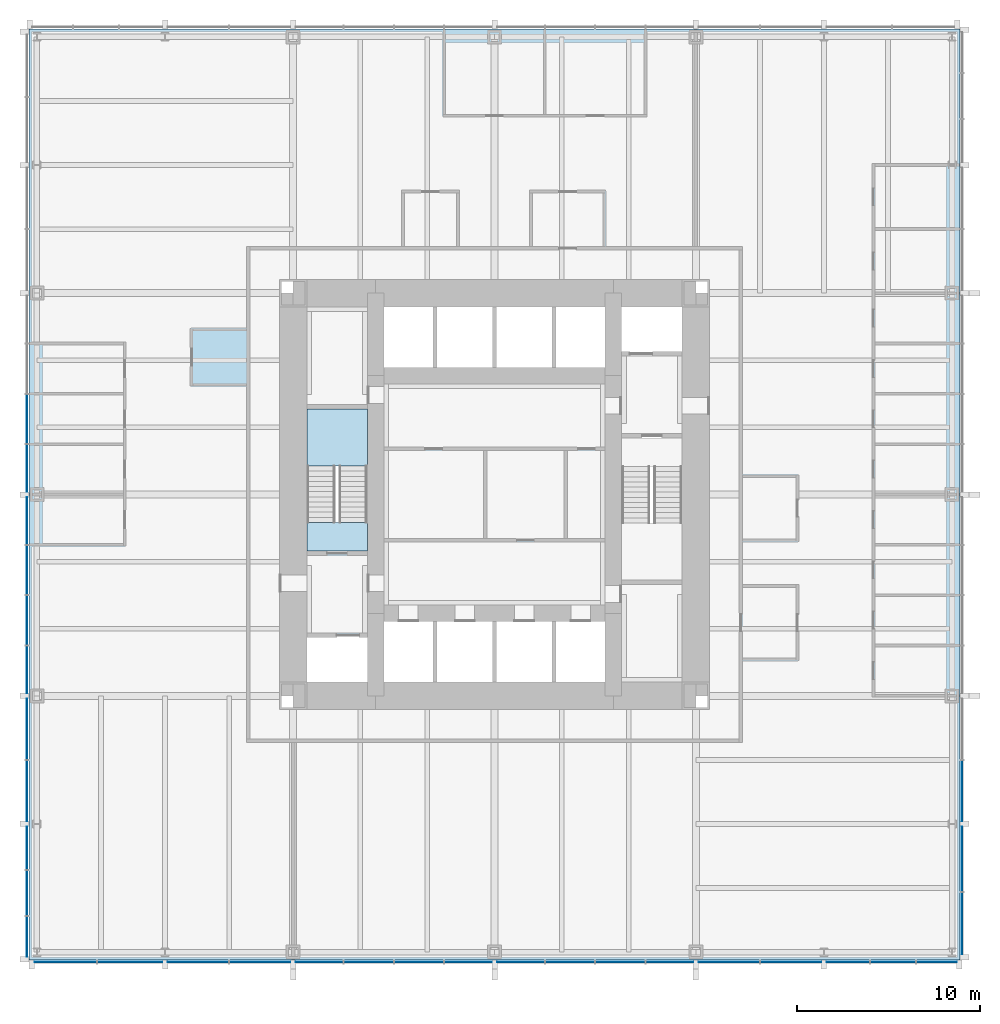
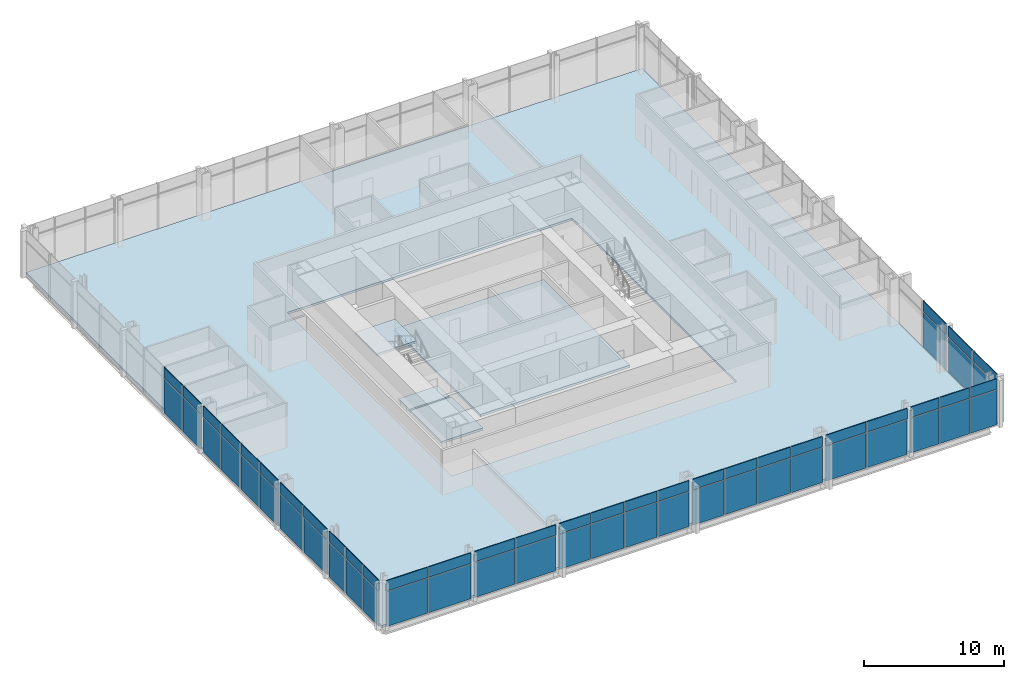
# One storey, part 7 of 12: 62 plates, 5 slabs, 4 elements without a shape of their own.
"""IFC4 building model written with IfcOpenShell, lengths in metres."""

from ifc_helpers import new_model, si_unit, direction, frame, origin, origin_2d, place, context, subcontext, project, spatial, polyline, rectangle, outline, extrude, material, layer, layer_set, type_object, element, aggregate, save


model = new_model("IFC4")

# Units and contexts
model_context = context("Model", 3, precision=1e-05, world=origin(), true_north=direction((0.0, 1.0)))
body_context = subcontext(model_context, "Body", "Model", "MODEL_VIEW")
ifc_project = project(units=[si_unit("LENGTHUNIT", "METRE"), si_unit("AREAUNIT", "SQUARE_METRE"), si_unit("VOLUMEUNIT", "CUBIC_METRE"), si_unit("PLANEANGLEUNIT", "RADIAN"), si_unit("MASSUNIT", "GRAM", prefix="KILO")], contexts=[model_context])

# Site, building, storey
site_placement = place(None, origin())
site = spatial("IfcSite", under=ifc_project, at=site_placement, CompositionType="ELEMENT")
building_placement = place(site_placement, origin())
building = spatial("IfcBuilding", under=site, at=building_placement, Name="Trevanion Tower", CompositionType="ELEMENT")
storey_placement = place(building_placement, frame((0.0, 0.0, 44.699951171875)))
storey = spatial("IfcBuildingStorey", under=building, at=storey_placement, Name="L10", CompositionType="ELEMENT", Elevation=44.699951171875)

# Curtain wall, plates
ifc_material_1 = material(Name="Aluminium and glass", Category="aluminium")
curtain_wall_type = type_object("IfcCurtainWallType", Name="CW1 curtain wall", PredefinedType="USERDEFINED", material=ifc_material_1)
curtain_wall_1_placement = place(storey_placement, origin())
curtain_wall_1 = element("IfcCurtainWall", 1, at=curtain_wall_1_placement, inside=storey, type_object=curtain_wall_type, Name="CW1 L10 0", ObjectType="UNITISED CURTAIN WALL", PredefinedType="USERDEFINED")
ifc_material_2 = material(Name="Aluminium spandrel panel", Category="aluminium")
ifc_layer_1 = layer(ifc_material_2, 0.06005859375)
ifc_layer_set_1 = layer_set([ifc_layer_1], Name="CW1 spandrel panel")
plate_type_1 = type_object("IfcPlateType", Name="CW1 spandrel panel", PredefinedType="CURTAIN_PANEL", material=ifc_layer_set_1)
plate_1_placement = place(storey_placement, frame((25.550048828125, -23.433837890625, 2.99755859375), z_axis=(0.0, 0.0, 1.0), x_axis=(0.0, 1.0, 0.0)))
plate_1 = element("IfcPlate", 2, at=plate_1_placement, type_object=plate_type_1, Name="CW1 panel 1.2", PredefinedType="CURTAIN_PANEL", context=body_context, shape_type="SweptSolid", body=[
    extrude(rectangle(XDim=3.37255859375, YDim=0.06005859375, at=origin_2d()), origin(), (0.0, 0.0, 1.0), 0.91259765625),
])
plate_2_placement = place(storey_placement, frame((25.550048828125, -19.911376953125, 2.99755859375), z_axis=(0.0, 0.0, 1.0), x_axis=(0.0, 1.0, 0.0)))
plate_2 = element("IfcPlate", 3, at=plate_2_placement, type_object=plate_type_1, Name="CW1 panel 2.2", PredefinedType="CURTAIN_PANEL", context=body_context, shape_type="SweptSolid", body=[
    extrude(rectangle(XDim=3.5224609375, YDim=0.06005859375, at=origin_2d()), origin(), (0.0, 0.0, 1.0), 0.91259765625),
])
plate_3_placement = place(storey_placement, frame((25.550048828125, -16.19384765625, 2.99755859375), z_axis=(0.0, 0.0, 1.0), x_axis=(0.0, 1.0, 0.0)))
plate_3 = element("IfcPlate", 4, at=plate_3_placement, type_object=plate_type_1, Name="CW1 panel 3.2", PredefinedType="CURTAIN_PANEL", context=body_context, shape_type="SweptSolid", body=[
    extrude(rectangle(XDim=3.3125, YDim=0.06005859375, at=origin_2d()), origin(), (0.0, 0.0, 1.0), 0.91259765625),
])

curtain_wall_2_placement = place(storey_placement, origin())
curtain_wall_2 = element("IfcCurtainWall", 5, at=curtain_wall_2_placement, inside=storey, type_object=curtain_wall_type, Name="CW1 L10 2", ObjectType="UNITISED CURTAIN WALL", PredefinedType="USERDEFINED")
plate_4_placement = place(storey_placement, frame((-25.550048828125, 4.125, 2.99755859375), z_axis=(0.0, 0.0, 1.0), x_axis=(0.0, -1.0, 0.0)))
plate_4 = element("IfcPlate", 6, at=plate_4_placement, type_object=plate_type_1, Name="CW1 panel 7.2", PredefinedType="CURTAIN_PANEL", context=body_context, shape_type="SweptSolid", body=[
    extrude(rectangle(XDim=2.675048828125, YDim=0.06005859375, at=origin_2d()), origin(), (0.0, 0.0, 1.0), 0.91259765625),
])
plate_5_placement = place(storey_placement, frame((-25.550048828125, 1.43115234375, 2.99755859375), z_axis=(0.0, 0.0, 1.0), x_axis=(0.0, -1.0, 0.0)))
plate_5 = element("IfcPlate", 7, at=plate_5_placement, type_object=plate_type_1, Name="CW1 panel 8.2", PredefinedType="CURTAIN_PANEL", context=body_context, shape_type="SweptSolid", body=[
    extrude(rectangle(XDim=2.5625, YDim=0.06005859375, at=origin_2d()), origin(), (0.0, 0.0, 1.0), 0.91259765625),
])
plate_6_placement = place(storey_placement, frame((-25.550048828125, -1.43115234375, 2.99755859375), z_axis=(0.0, 0.0, 1.0), x_axis=(0.0, -1.0, 0.0)))
plate_6 = element("IfcPlate", 8, at=plate_6_placement, type_object=plate_type_1, Name="CW1 panel 9.2", PredefinedType="CURTAIN_PANEL", context=body_context, shape_type="SweptSolid", body=[
    extrude(rectangle(XDim=2.5625, YDim=0.06005859375, at=origin_2d()), origin(), (0.0, 0.0, 1.0), 0.91259765625),
])
plate_7_placement = place(storey_placement, frame((-25.550048828125, -4.125, 2.99755859375), z_axis=(0.0, 0.0, 1.0), x_axis=(0.0, -1.0, 0.0)))
plate_7 = element("IfcPlate", 9, at=plate_7_placement, type_object=plate_type_1, Name="CW1 panel 10.2", PredefinedType="CURTAIN_PANEL", context=body_context, shape_type="SweptSolid", body=[
    extrude(rectangle(XDim=2.675048828125, YDim=0.06005859375, at=origin_2d()), origin(), (0.0, 0.0, 1.0), 0.91259765625),
])
plate_8_placement = place(storey_placement, frame((-25.550048828125, -6.875, 2.99755859375), z_axis=(0.0, 0.0, 1.0), x_axis=(0.0, -1.0, 0.0)))
plate_8 = element("IfcPlate", 10, at=plate_8_placement, type_object=plate_type_1, Name="CW1 panel 11.2", PredefinedType="CURTAIN_PANEL", context=body_context, shape_type="SweptSolid", body=[
    extrude(rectangle(XDim=2.675048828125, YDim=0.06005859375, at=origin_2d()), origin(), (0.0, 0.0, 1.0), 0.91259765625),
])
plate_9_placement = place(storey_placement, frame((-25.550048828125, -9.56884765625, 2.99755859375), z_axis=(0.0, 0.0, 1.0), x_axis=(0.0, -1.0, 0.0)))
plate_9 = element("IfcPlate", 11, at=plate_9_placement, type_object=plate_type_1, Name="CW1 panel 12.2", PredefinedType="CURTAIN_PANEL", context=body_context, shape_type="SweptSolid", body=[
    extrude(rectangle(XDim=2.5625, YDim=0.06005859375, at=origin_2d()), origin(), (0.0, 0.0, 1.0), 0.91259765625),
])
plate_10_placement = place(storey_placement, frame((-25.550048828125, -12.80615234375, 2.99755859375), z_axis=(0.0, 0.0, 1.0), x_axis=(0.0, -1.0, 0.0)))
plate_10 = element("IfcPlate", 12, at=plate_10_placement, type_object=plate_type_1, Name="CW1 panel 13.2", PredefinedType="CURTAIN_PANEL", context=body_context, shape_type="SweptSolid", body=[
    extrude(rectangle(XDim=3.3125, YDim=0.06005859375, at=origin_2d()), origin(), (0.0, 0.0, 1.0), 0.91259765625),
])
plate_11_placement = place(storey_placement, frame((-25.550048828125, -16.19384765625, 2.99755859375), z_axis=(0.0, 0.0, 1.0), x_axis=(0.0, -1.0, 0.0)))
plate_11 = element("IfcPlate", 13, at=plate_11_placement, type_object=plate_type_1, Name="CW1 panel 14.2", PredefinedType="CURTAIN_PANEL", context=body_context, shape_type="SweptSolid", body=[
    extrude(rectangle(XDim=3.3125, YDim=0.06005859375, at=origin_2d()), origin(), (0.0, 0.0, 1.0), 0.91259765625),
])
plate_12_placement = place(storey_placement, frame((-25.550048828125, -19.314697265625, 2.99755859375), z_axis=(0.0, 0.0, 1.0), x_axis=(0.0, -1.0, 0.0)))
plate_12 = element("IfcPlate", 14, at=plate_12_placement, type_object=plate_type_1, Name="CW1 panel 15.2", PredefinedType="CURTAIN_PANEL", context=body_context, shape_type="SweptSolid", body=[
    extrude(rectangle(XDim=2.3291015625, YDim=0.06005859375, at=origin_2d()), origin(), (0.0, 0.0, 1.0), 0.91259765625),
])
plate_13_placement = place(storey_placement, frame((-25.550048828125, -21.77490234375, 2.99755859375), z_axis=(0.0, 0.0, 1.0), x_axis=(0.0, -1.0, 0.0)))
plate_13 = element("IfcPlate", 15, at=plate_13_placement, type_object=plate_type_1, Name="CW1 panel 16.2", PredefinedType="CURTAIN_PANEL", context=body_context, shape_type="SweptSolid", body=[
    extrude(rectangle(XDim=2.441650390625, YDim=0.06005859375, at=origin_2d()), origin(), (0.0, 0.0, 1.0), 0.91259765625),
])
plate_14_placement = place(storey_placement, frame((-25.550048828125, -24.160400390625, 2.99755859375), z_axis=(0.0, 0.0, 1.0), x_axis=(0.0, -1.0, 0.0)))
plate_14 = element("IfcPlate", 16, at=plate_14_placement, type_object=plate_type_1, Name="CW1 panel 17.2", PredefinedType="CURTAIN_PANEL", context=body_context, shape_type="SweptSolid", body=[
    extrude(rectangle(XDim=2.17919921875, YDim=0.06005859375, at=origin_2d()), origin(), (0.0, 0.0, 1.0), 0.91259765625),
])

curtain_wall_3_placement = place(storey_placement, origin())
curtain_wall_3 = element("IfcCurtainWall", 17, at=curtain_wall_3_placement, inside=storey, type_object=curtain_wall_type, Name="CW1 L10 3", ObjectType="UNITISED CURTAIN WALL", PredefinedType="USERDEFINED")
plate_15_placement = place(storey_placement, frame((-23.433837890625, -25.550048828125, 2.99755859375), z_axis=(0.0, 0.0, 1.0), x_axis=(1.0, 0.0, 0.0)))
plate_15 = element("IfcPlate", 18, at=plate_15_placement, type_object=plate_type_1, Name="CW1 panel 1.2", PredefinedType="CURTAIN_PANEL", context=body_context, shape_type="SweptSolid", body=[
    extrude(rectangle(XDim=3.37255859375, YDim=0.06005859375, at=origin_2d()), origin(), (0.0, 0.0, 1.0), 0.91259765625),
])
plate_16_placement = place(storey_placement, frame((-19.911376953125, -25.550048828125, 2.99755859375), z_axis=(0.0, 0.0, 1.0), x_axis=(1.0, 0.0, 0.0)))
plate_16 = element("IfcPlate", 19, at=plate_16_placement, type_object=plate_type_1, Name="CW1 panel 2.2", PredefinedType="CURTAIN_PANEL", context=body_context, shape_type="SweptSolid", body=[
    extrude(rectangle(XDim=3.5224609375, YDim=0.06005859375, at=origin_2d()), origin(), (0.0, 0.0, 1.0), 0.91259765625),
])
plate_17_placement = place(storey_placement, frame((-16.19384765625, -25.550048828125, 2.99755859375), z_axis=(0.0, 0.0, 1.0), x_axis=(1.0, 0.0, 0.0)))
plate_17 = element("IfcPlate", 20, at=plate_17_placement, type_object=plate_type_1, Name="CW1 panel 3.2", PredefinedType="CURTAIN_PANEL", context=body_context, shape_type="SweptSolid", body=[
    extrude(rectangle(XDim=3.3125, YDim=0.06005859375, at=origin_2d()), origin(), (0.0, 0.0, 1.0), 0.91259765625),
])
plate_18_placement = place(storey_placement, frame((-12.806396484375, -25.550048828125, 2.99755859375), z_axis=(0.0, 0.0, 1.0), x_axis=(1.0, 0.0, 0.0)))
plate_18 = element("IfcPlate", 21, at=plate_18_placement, type_object=plate_type_1, Name="CW1 panel 4.2", PredefinedType="CURTAIN_PANEL", context=body_context, shape_type="SweptSolid", body=[
    extrude(rectangle(XDim=3.3125, YDim=0.06005859375, at=origin_2d()), origin(), (0.0, 0.0, 1.0), 0.91259765625),
])
plate_19_placement = place(storey_placement, frame((-9.56884765625, -25.550048828125, 2.99755859375), z_axis=(0.0, 0.0, 1.0), x_axis=(1.0, 0.0, 0.0)))
plate_19 = element("IfcPlate", 22, at=plate_19_placement, type_object=plate_type_1, Name="CW1 panel 5.2", PredefinedType="CURTAIN_PANEL", context=body_context, shape_type="SweptSolid", body=[
    extrude(rectangle(XDim=2.5625, YDim=0.06005859375, at=origin_2d()), origin(), (0.0, 0.0, 1.0), 0.91259765625),
])
plate_20_placement = place(storey_placement, frame((-6.875, -25.550048828125, 2.99755859375), z_axis=(0.0, 0.0, 1.0), x_axis=(1.0, 0.0, 0.0)))
plate_20 = element("IfcPlate", 23, at=plate_20_placement, type_object=plate_type_1, Name="CW1 panel 6.2", PredefinedType="CURTAIN_PANEL", context=body_context, shape_type="SweptSolid", body=[
    extrude(rectangle(XDim=2.675048828125, YDim=0.06005859375, at=origin_2d()), origin(), (0.0, 0.0, 1.0), 0.91259765625),
])
plate_21_placement = place(storey_placement, frame((-4.125, -25.550048828125, 2.99755859375), z_axis=(0.0, 0.0, 1.0), x_axis=(1.0, 0.0, 0.0)))
plate_21 = element("IfcPlate", 24, at=plate_21_placement, type_object=plate_type_1, Name="CW1 panel 7.2", PredefinedType="CURTAIN_PANEL", context=body_context, shape_type="SweptSolid", body=[
    extrude(rectangle(XDim=2.675048828125, YDim=0.06005859375, at=origin_2d()), origin(), (0.0, 0.0, 1.0), 0.91259765625),
])
plate_22_placement = place(storey_placement, frame((-1.43115234375, -25.550048828125, 2.99755859375), z_axis=(0.0, 0.0, 1.0), x_axis=(1.0, 0.0, 0.0)))
plate_22 = element("IfcPlate", 25, at=plate_22_placement, type_object=plate_type_1, Name="CW1 panel 8.2", PredefinedType="CURTAIN_PANEL", context=body_context, shape_type="SweptSolid", body=[
    extrude(rectangle(XDim=2.5625, YDim=0.06005859375, at=origin_2d()), origin(), (0.0, 0.0, 1.0), 0.91259765625),
])
plate_23_placement = place(storey_placement, frame((1.43115234375, -25.550048828125, 2.99755859375), z_axis=(0.0, 0.0, 1.0), x_axis=(1.0, 0.0, 0.0)))
plate_23 = element("IfcPlate", 26, at=plate_23_placement, type_object=plate_type_1, Name="CW1 panel 9.2", PredefinedType="CURTAIN_PANEL", context=body_context, shape_type="SweptSolid", body=[
    extrude(rectangle(XDim=2.5625, YDim=0.06005859375, at=origin_2d()), origin(), (0.0, 0.0, 1.0), 0.91259765625),
])
plate_24_placement = place(storey_placement, frame((4.125, -25.550048828125, 2.99755859375), z_axis=(0.0, 0.0, 1.0), x_axis=(1.0, 0.0, 0.0)))
plate_24 = element("IfcPlate", 27, at=plate_24_placement, type_object=plate_type_1, Name="CW1 panel 10.2", PredefinedType="CURTAIN_PANEL", context=body_context, shape_type="SweptSolid", body=[
    extrude(rectangle(XDim=2.675048828125, YDim=0.06005859375, at=origin_2d()), origin(), (0.0, 0.0, 1.0), 0.91259765625),
])
plate_25_placement = place(storey_placement, frame((6.875, -25.550048828125, 2.99755859375), z_axis=(0.0, 0.0, 1.0), x_axis=(1.0, 0.0, 0.0)))
plate_25 = element("IfcPlate", 28, at=plate_25_placement, type_object=plate_type_1, Name="CW1 panel 11.2", PredefinedType="CURTAIN_PANEL", context=body_context, shape_type="SweptSolid", body=[
    extrude(rectangle(XDim=2.675048828125, YDim=0.06005859375, at=origin_2d()), origin(), (0.0, 0.0, 1.0), 0.91259765625),
])
plate_26_placement = place(storey_placement, frame((9.56884765625, -25.550048828125, 2.99755859375), z_axis=(0.0, 0.0, 1.0), x_axis=(1.0, 0.0, 0.0)))
plate_26 = element("IfcPlate", 29, at=plate_26_placement, type_object=plate_type_1, Name="CW1 panel 12.2", PredefinedType="CURTAIN_PANEL", context=body_context, shape_type="SweptSolid", body=[
    extrude(rectangle(XDim=2.5625, YDim=0.06005859375, at=origin_2d()), origin(), (0.0, 0.0, 1.0), 0.91259765625),
])
plate_27_placement = place(storey_placement, frame((12.80615234375, -25.550048828125, 2.99755859375), z_axis=(0.0, 0.0, 1.0), x_axis=(1.0, 0.0, 0.0)))
plate_27 = element("IfcPlate", 30, at=plate_27_placement, type_object=plate_type_1, Name="CW1 panel 13.2", PredefinedType="CURTAIN_PANEL", context=body_context, shape_type="SweptSolid", body=[
    extrude(rectangle(XDim=3.3125, YDim=0.06005859375, at=origin_2d()), origin(), (0.0, 0.0, 1.0), 0.91259765625),
])
plate_28_placement = place(storey_placement, frame((16.19384765625, -25.550048828125, 2.99755859375), z_axis=(0.0, 0.0, 1.0), x_axis=(1.0, 0.0, 0.0)))
plate_28 = element("IfcPlate", 31, at=plate_28_placement, type_object=plate_type_1, Name="CW1 panel 14.2", PredefinedType="CURTAIN_PANEL", context=body_context, shape_type="SweptSolid", body=[
    extrude(rectangle(XDim=3.3125, YDim=0.06005859375, at=origin_2d()), origin(), (0.0, 0.0, 1.0), 0.91259765625),
])
plate_29_placement = place(storey_placement, frame((19.314697265625, -25.550048828125, 2.99755859375), z_axis=(0.0, 0.0, 1.0), x_axis=(1.0, 0.0, 0.0)))
plate_29 = element("IfcPlate", 32, at=plate_29_placement, type_object=plate_type_1, Name="CW1 panel 15.2", PredefinedType="CURTAIN_PANEL", context=body_context, shape_type="SweptSolid", body=[
    extrude(rectangle(XDim=2.3291015625, YDim=0.06005859375, at=origin_2d()), origin(), (0.0, 0.0, 1.0), 0.91259765625),
])
plate_30_placement = place(storey_placement, frame((21.77490234375, -25.550048828125, 2.99755859375), z_axis=(0.0, 0.0, 1.0), x_axis=(1.0, 0.0, 0.0)))
plate_30 = element("IfcPlate", 33, at=plate_30_placement, type_object=plate_type_1, Name="CW1 panel 16.2", PredefinedType="CURTAIN_PANEL", context=body_context, shape_type="SweptSolid", body=[
    extrude(rectangle(XDim=2.441650390625, YDim=0.06005859375, at=origin_2d()), origin(), (0.0, 0.0, 1.0), 0.91259765625),
])
plate_31_placement = place(storey_placement, frame((24.160400390625, -25.550048828125, 2.99755859375), z_axis=(0.0, 0.0, 1.0), x_axis=(1.0, 0.0, 0.0)))
plate_31 = element("IfcPlate", 34, at=plate_31_placement, type_object=plate_type_1, Name="CW1 panel 17.2", PredefinedType="CURTAIN_PANEL", context=body_context, shape_type="SweptSolid", body=[
    extrude(rectangle(XDim=2.17919921875, YDim=0.06005859375, at=origin_2d()), origin(), (0.0, 0.0, 1.0), 0.91259765625),
])

# Plate
ifc_material_3 = material(Name="Insulating glass unit", Category="glass")
ifc_layer_2 = layer(ifc_material_3, 0.028076171875)
ifc_layer_set_2 = layer_set([ifc_layer_2], Name="CW1 vision panel")
plate_type_2 = type_object("IfcPlateType", Name="CW1 vision panel", PredefinedType="CURTAIN_PANEL", material=ifc_layer_set_2)
plate_32_placement = place(storey_placement, frame((25.550048828125, -23.433837890625, -0.114990234375), z_axis=(0.0, 0.0, 1.0), x_axis=(0.0, 1.0, 0.0)))
plate_32 = element("IfcPlate", 35, at=plate_32_placement, type_object=plate_type_2, Name="CW1 panel 1.1", PredefinedType="CURTAIN_PANEL", context=body_context, shape_type="SweptSolid", body=[
    extrude(rectangle(XDim=3.37255859375, YDim=0.028076171875, at=origin_2d()), origin(), (0.0, 0.0, 1.0), 3.03759765625),
])

plate_33_placement = place(storey_placement, frame((25.550048828125, -19.911376953125, -0.114990234375), z_axis=(0.0, 0.0, 1.0), x_axis=(0.0, 1.0, 0.0)))
plate_33 = element("IfcPlate", 36, at=plate_33_placement, type_object=plate_type_2, Name="CW1 panel 2.1", PredefinedType="CURTAIN_PANEL", context=body_context, shape_type="SweptSolid", body=[
    extrude(rectangle(XDim=3.5224609375, YDim=0.028076171875, at=origin_2d()), origin(), (0.0, 0.0, 1.0), 3.03759765625),
])

plate_34_placement = place(storey_placement, frame((25.550048828125, -16.19384765625, -0.114990234375), z_axis=(0.0, 0.0, 1.0), x_axis=(0.0, 1.0, 0.0)))
plate_34 = element("IfcPlate", 37, at=plate_34_placement, type_object=plate_type_2, Name="CW1 panel 3.1", PredefinedType="CURTAIN_PANEL", context=body_context, shape_type="SweptSolid", body=[
    extrude(rectangle(XDim=3.3125, YDim=0.028076171875, at=origin_2d()), origin(), (0.0, 0.0, 1.0), 3.03759765625),
])

aggregate(curtain_wall_1, [plate_32, plate_1, plate_33, plate_2, plate_34, plate_3])

plate_35_placement = place(storey_placement, frame((-25.550048828125, 4.125, -0.114990234375), z_axis=(0.0, 0.0, 1.0), x_axis=(0.0, -1.0, 0.0)))
plate_35 = element("IfcPlate", 38, at=plate_35_placement, type_object=plate_type_2, Name="CW1 panel 7.1", PredefinedType="CURTAIN_PANEL", context=body_context, shape_type="SweptSolid", body=[
    extrude(rectangle(XDim=2.675048828125, YDim=0.028076171875, at=origin_2d()), origin(), (0.0, 0.0, 1.0), 3.03759765625),
])

plate_36_placement = place(storey_placement, frame((-25.550048828125, 1.43115234375, -0.114990234375), z_axis=(0.0, 0.0, 1.0), x_axis=(0.0, -1.0, 0.0)))
plate_36 = element("IfcPlate", 39, at=plate_36_placement, type_object=plate_type_2, Name="CW1 panel 8.1", PredefinedType="CURTAIN_PANEL", context=body_context, shape_type="SweptSolid", body=[
    extrude(rectangle(XDim=2.5625, YDim=0.028076171875, at=origin_2d()), origin(), (0.0, 0.0, 1.0), 3.03759765625),
])

plate_37_placement = place(storey_placement, frame((-25.550048828125, -1.43115234375, -0.114990234375), z_axis=(0.0, 0.0, 1.0), x_axis=(0.0, -1.0, 0.0)))
plate_37 = element("IfcPlate", 40, at=plate_37_placement, type_object=plate_type_2, Name="CW1 panel 9.1", PredefinedType="CURTAIN_PANEL", context=body_context, shape_type="SweptSolid", body=[
    extrude(rectangle(XDim=2.5625, YDim=0.028076171875, at=origin_2d()), origin(), (0.0, 0.0, 1.0), 3.03759765625),
])

plate_38_placement = place(storey_placement, frame((-25.550048828125, -4.125, -0.114990234375), z_axis=(0.0, 0.0, 1.0), x_axis=(0.0, -1.0, 0.0)))
plate_38 = element("IfcPlate", 41, at=plate_38_placement, type_object=plate_type_2, Name="CW1 panel 10.1", PredefinedType="CURTAIN_PANEL", context=body_context, shape_type="SweptSolid", body=[
    extrude(rectangle(XDim=2.675048828125, YDim=0.028076171875, at=origin_2d()), origin(), (0.0, 0.0, 1.0), 3.03759765625),
])

plate_39_placement = place(storey_placement, frame((-25.550048828125, -6.875, -0.114990234375), z_axis=(0.0, 0.0, 1.0), x_axis=(0.0, -1.0, 0.0)))
plate_39 = element("IfcPlate", 42, at=plate_39_placement, type_object=plate_type_2, Name="CW1 panel 11.1", PredefinedType="CURTAIN_PANEL", context=body_context, shape_type="SweptSolid", body=[
    extrude(rectangle(XDim=2.675048828125, YDim=0.028076171875, at=origin_2d()), origin(), (0.0, 0.0, 1.0), 3.03759765625),
])

plate_40_placement = place(storey_placement, frame((-25.550048828125, -9.56884765625, -0.114990234375), z_axis=(0.0, 0.0, 1.0), x_axis=(0.0, -1.0, 0.0)))
plate_40 = element("IfcPlate", 43, at=plate_40_placement, type_object=plate_type_2, Name="CW1 panel 12.1", PredefinedType="CURTAIN_PANEL", context=body_context, shape_type="SweptSolid", body=[
    extrude(rectangle(XDim=2.5625, YDim=0.028076171875, at=origin_2d()), origin(), (0.0, 0.0, 1.0), 3.03759765625),
])

plate_41_placement = place(storey_placement, frame((-25.550048828125, -12.80615234375, -0.114990234375), z_axis=(0.0, 0.0, 1.0), x_axis=(0.0, -1.0, 0.0)))
plate_41 = element("IfcPlate", 44, at=plate_41_placement, type_object=plate_type_2, Name="CW1 panel 13.1", PredefinedType="CURTAIN_PANEL", context=body_context, shape_type="SweptSolid", body=[
    extrude(rectangle(XDim=3.3125, YDim=0.028076171875, at=origin_2d()), origin(), (0.0, 0.0, 1.0), 3.03759765625),
])

plate_42_placement = place(storey_placement, frame((-25.550048828125, -16.19384765625, -0.114990234375), z_axis=(0.0, 0.0, 1.0), x_axis=(0.0, -1.0, 0.0)))
plate_42 = element("IfcPlate", 45, at=plate_42_placement, type_object=plate_type_2, Name="CW1 panel 14.1", PredefinedType="CURTAIN_PANEL", context=body_context, shape_type="SweptSolid", body=[
    extrude(rectangle(XDim=3.3125, YDim=0.028076171875, at=origin_2d()), origin(), (0.0, 0.0, 1.0), 3.03759765625),
])

plate_43_placement = place(storey_placement, frame((-25.550048828125, -19.314697265625, -0.114990234375), z_axis=(0.0, 0.0, 1.0), x_axis=(0.0, -1.0, 0.0)))
plate_43 = element("IfcPlate", 46, at=plate_43_placement, type_object=plate_type_2, Name="CW1 panel 15.1", PredefinedType="CURTAIN_PANEL", context=body_context, shape_type="SweptSolid", body=[
    extrude(rectangle(XDim=2.3291015625, YDim=0.028076171875, at=origin_2d()), origin(), (0.0, 0.0, 1.0), 3.03759765625),
])

plate_44_placement = place(storey_placement, frame((-25.550048828125, -21.77490234375, -0.114990234375), z_axis=(0.0, 0.0, 1.0), x_axis=(0.0, -1.0, 0.0)))
plate_44 = element("IfcPlate", 47, at=plate_44_placement, type_object=plate_type_2, Name="CW1 panel 16.1", PredefinedType="CURTAIN_PANEL", context=body_context, shape_type="SweptSolid", body=[
    extrude(rectangle(XDim=2.441650390625, YDim=0.028076171875, at=origin_2d()), origin(), (0.0, 0.0, 1.0), 3.03759765625),
])

plate_45_placement = place(storey_placement, frame((-25.550048828125, -24.160400390625, -0.114990234375), z_axis=(0.0, 0.0, 1.0), x_axis=(0.0, -1.0, 0.0)))
plate_45 = element("IfcPlate", 48, at=plate_45_placement, type_object=plate_type_2, Name="CW1 panel 17.1", PredefinedType="CURTAIN_PANEL", context=body_context, shape_type="SweptSolid", body=[
    extrude(rectangle(XDim=2.17919921875, YDim=0.028076171875, at=origin_2d()), origin(), (0.0, 0.0, 1.0), 3.03759765625),
])

aggregate(curtain_wall_2, [plate_35, plate_4, plate_36, plate_5, plate_37, plate_6, plate_38, plate_7, plate_39, plate_8, plate_40, plate_9, plate_41, plate_10, plate_42, plate_11, plate_43, plate_12, plate_44, plate_13, plate_45, plate_14])

plate_46_placement = place(storey_placement, frame((-23.433837890625, -25.550048828125, -0.114990234375), z_axis=(0.0, 0.0, 1.0), x_axis=(1.0, 0.0, 0.0)))
plate_46 = element("IfcPlate", 49, at=plate_46_placement, type_object=plate_type_2, Name="CW1 panel 1.1", PredefinedType="CURTAIN_PANEL", context=body_context, shape_type="SweptSolid", body=[
    extrude(rectangle(XDim=3.37255859375, YDim=0.028076171875, at=origin_2d()), origin(), (0.0, 0.0, 1.0), 3.03759765625),
])

plate_47_placement = place(storey_placement, frame((-19.911376953125, -25.550048828125, -0.114990234375), z_axis=(0.0, 0.0, 1.0), x_axis=(1.0, 0.0, 0.0)))
plate_47 = element("IfcPlate", 50, at=plate_47_placement, type_object=plate_type_2, Name="CW1 panel 2.1", PredefinedType="CURTAIN_PANEL", context=body_context, shape_type="SweptSolid", body=[
    extrude(rectangle(XDim=3.5224609375, YDim=0.028076171875, at=origin_2d()), origin(), (0.0, 0.0, 1.0), 3.03759765625),
])

plate_48_placement = place(storey_placement, frame((-16.19384765625, -25.550048828125, -0.114990234375), z_axis=(0.0, 0.0, 1.0), x_axis=(1.0, 0.0, 0.0)))
plate_48 = element("IfcPlate", 51, at=plate_48_placement, type_object=plate_type_2, Name="CW1 panel 3.1", PredefinedType="CURTAIN_PANEL", context=body_context, shape_type="SweptSolid", body=[
    extrude(rectangle(XDim=3.3125, YDim=0.028076171875, at=origin_2d()), origin(), (0.0, 0.0, 1.0), 3.03759765625),
])

plate_49_placement = place(storey_placement, frame((-12.806396484375, -25.550048828125, -0.114990234375), z_axis=(0.0, 0.0, 1.0), x_axis=(1.0, 0.0, 0.0)))
plate_49 = element("IfcPlate", 52, at=plate_49_placement, type_object=plate_type_2, Name="CW1 panel 4.1", PredefinedType="CURTAIN_PANEL", context=body_context, shape_type="SweptSolid", body=[
    extrude(rectangle(XDim=3.3125, YDim=0.028076171875, at=origin_2d()), origin(), (0.0, 0.0, 1.0), 3.03759765625),
])

plate_50_placement = place(storey_placement, frame((-9.56884765625, -25.550048828125, -0.114990234375), z_axis=(0.0, 0.0, 1.0), x_axis=(1.0, 0.0, 0.0)))
plate_50 = element("IfcPlate", 53, at=plate_50_placement, type_object=plate_type_2, Name="CW1 panel 5.1", PredefinedType="CURTAIN_PANEL", context=body_context, shape_type="SweptSolid", body=[
    extrude(rectangle(XDim=2.5625, YDim=0.028076171875, at=origin_2d()), origin(), (0.0, 0.0, 1.0), 3.03759765625),
])

plate_51_placement = place(storey_placement, frame((-6.875, -25.550048828125, -0.114990234375), z_axis=(0.0, 0.0, 1.0), x_axis=(1.0, 0.0, 0.0)))
plate_51 = element("IfcPlate", 54, at=plate_51_placement, type_object=plate_type_2, Name="CW1 panel 6.1", PredefinedType="CURTAIN_PANEL", context=body_context, shape_type="SweptSolid", body=[
    extrude(rectangle(XDim=2.675048828125, YDim=0.028076171875, at=origin_2d()), origin(), (0.0, 0.0, 1.0), 3.03759765625),
])

plate_52_placement = place(storey_placement, frame((-4.125, -25.550048828125, -0.114990234375), z_axis=(0.0, 0.0, 1.0), x_axis=(1.0, 0.0, 0.0)))
plate_52 = element("IfcPlate", 55, at=plate_52_placement, type_object=plate_type_2, Name="CW1 panel 7.1", PredefinedType="CURTAIN_PANEL", context=body_context, shape_type="SweptSolid", body=[
    extrude(rectangle(XDim=2.675048828125, YDim=0.028076171875, at=origin_2d()), origin(), (0.0, 0.0, 1.0), 3.03759765625),
])

plate_53_placement = place(storey_placement, frame((-1.43115234375, -25.550048828125, -0.114990234375), z_axis=(0.0, 0.0, 1.0), x_axis=(1.0, 0.0, 0.0)))
plate_53 = element("IfcPlate", 56, at=plate_53_placement, type_object=plate_type_2, Name="CW1 panel 8.1", PredefinedType="CURTAIN_PANEL", context=body_context, shape_type="SweptSolid", body=[
    extrude(rectangle(XDim=2.5625, YDim=0.028076171875, at=origin_2d()), origin(), (0.0, 0.0, 1.0), 3.03759765625),
])

plate_54_placement = place(storey_placement, frame((1.43115234375, -25.550048828125, -0.114990234375), z_axis=(0.0, 0.0, 1.0), x_axis=(1.0, 0.0, 0.0)))
plate_54 = element("IfcPlate", 57, at=plate_54_placement, type_object=plate_type_2, Name="CW1 panel 9.1", PredefinedType="CURTAIN_PANEL", context=body_context, shape_type="SweptSolid", body=[
    extrude(rectangle(XDim=2.5625, YDim=0.028076171875, at=origin_2d()), origin(), (0.0, 0.0, 1.0), 3.03759765625),
])

plate_55_placement = place(storey_placement, frame((4.125, -25.550048828125, -0.114990234375), z_axis=(0.0, 0.0, 1.0), x_axis=(1.0, 0.0, 0.0)))
plate_55 = element("IfcPlate", 58, at=plate_55_placement, type_object=plate_type_2, Name="CW1 panel 10.1", PredefinedType="CURTAIN_PANEL", context=body_context, shape_type="SweptSolid", body=[
    extrude(rectangle(XDim=2.675048828125, YDim=0.028076171875, at=origin_2d()), origin(), (0.0, 0.0, 1.0), 3.03759765625),
])

plate_56_placement = place(storey_placement, frame((6.875, -25.550048828125, -0.114990234375), z_axis=(0.0, 0.0, 1.0), x_axis=(1.0, 0.0, 0.0)))
plate_56 = element("IfcPlate", 59, at=plate_56_placement, type_object=plate_type_2, Name="CW1 panel 11.1", PredefinedType="CURTAIN_PANEL", context=body_context, shape_type="SweptSolid", body=[
    extrude(rectangle(XDim=2.675048828125, YDim=0.028076171875, at=origin_2d()), origin(), (0.0, 0.0, 1.0), 3.03759765625),
])

plate_57_placement = place(storey_placement, frame((9.56884765625, -25.550048828125, -0.114990234375), z_axis=(0.0, 0.0, 1.0), x_axis=(1.0, 0.0, 0.0)))
plate_57 = element("IfcPlate", 60, at=plate_57_placement, type_object=plate_type_2, Name="CW1 panel 12.1", PredefinedType="CURTAIN_PANEL", context=body_context, shape_type="SweptSolid", body=[
    extrude(rectangle(XDim=2.5625, YDim=0.028076171875, at=origin_2d()), origin(), (0.0, 0.0, 1.0), 3.03759765625),
])

plate_58_placement = place(storey_placement, frame((12.80615234375, -25.550048828125, -0.114990234375), z_axis=(0.0, 0.0, 1.0), x_axis=(1.0, 0.0, 0.0)))
plate_58 = element("IfcPlate", 61, at=plate_58_placement, type_object=plate_type_2, Name="CW1 panel 13.1", PredefinedType="CURTAIN_PANEL", context=body_context, shape_type="SweptSolid", body=[
    extrude(rectangle(XDim=3.3125, YDim=0.028076171875, at=origin_2d()), origin(), (0.0, 0.0, 1.0), 3.03759765625),
])

plate_59_placement = place(storey_placement, frame((16.19384765625, -25.550048828125, -0.114990234375), z_axis=(0.0, 0.0, 1.0), x_axis=(1.0, 0.0, 0.0)))
plate_59 = element("IfcPlate", 62, at=plate_59_placement, type_object=plate_type_2, Name="CW1 panel 14.1", PredefinedType="CURTAIN_PANEL", context=body_context, shape_type="SweptSolid", body=[
    extrude(rectangle(XDim=3.3125, YDim=0.028076171875, at=origin_2d()), origin(), (0.0, 0.0, 1.0), 3.03759765625),
])

plate_60_placement = place(storey_placement, frame((19.314697265625, -25.550048828125, -0.114990234375), z_axis=(0.0, 0.0, 1.0), x_axis=(1.0, 0.0, 0.0)))
plate_60 = element("IfcPlate", 63, at=plate_60_placement, type_object=plate_type_2, Name="CW1 panel 15.1", PredefinedType="CURTAIN_PANEL", context=body_context, shape_type="SweptSolid", body=[
    extrude(rectangle(XDim=2.3291015625, YDim=0.028076171875, at=origin_2d()), origin(), (0.0, 0.0, 1.0), 3.03759765625),
])

plate_61_placement = place(storey_placement, frame((21.77490234375, -25.550048828125, -0.114990234375), z_axis=(0.0, 0.0, 1.0), x_axis=(1.0, 0.0, 0.0)))
plate_61 = element("IfcPlate", 64, at=plate_61_placement, type_object=plate_type_2, Name="CW1 panel 16.1", PredefinedType="CURTAIN_PANEL", context=body_context, shape_type="SweptSolid", body=[
    extrude(rectangle(XDim=2.441650390625, YDim=0.028076171875, at=origin_2d()), origin(), (0.0, 0.0, 1.0), 3.03759765625),
])

plate_62_placement = place(storey_placement, frame((24.160400390625, -25.550048828125, -0.114990234375), z_axis=(0.0, 0.0, 1.0), x_axis=(1.0, 0.0, 0.0)))
plate_62 = element("IfcPlate", 65, at=plate_62_placement, type_object=plate_type_2, Name="CW1 panel 17.1", PredefinedType="CURTAIN_PANEL", context=body_context, shape_type="SweptSolid", body=[
    extrude(rectangle(XDim=2.17919921875, YDim=0.028076171875, at=origin_2d()), origin(), (0.0, 0.0, 1.0), 3.03759765625),
])

aggregate(curtain_wall_3, [plate_46, plate_15, plate_47, plate_16, plate_48, plate_17, plate_49, plate_18, plate_50, plate_19, plate_51, plate_20, plate_52, plate_21, plate_53, plate_22, plate_54, plate_23, plate_55, plate_24, plate_56, plate_25, plate_57, plate_26, plate_58, plate_27, plate_59, plate_28, plate_60, plate_29, plate_61, plate_30, plate_62, plate_31])

# Slabs
ifc_material_4 = material(Name="Concrete 5,000 psi on composite metal deck", Category="concrete")
ifc_layer_3 = layer(ifc_material_4, 0.18994140625)
ifc_layer_set_3 = layer_set([ifc_layer_3], Name="SL1 composite floor 190")
slab_type_1 = type_object("IfcSlabType", Name="SL1 composite floor 190", PredefinedType="FLOOR", material=ifc_layer_set_3)
slab_1_placement = place(storey_placement, frame((0.0, 0.0, -0.18994140625)))
element("IfcSlab", 66, at=slab_1_placement, inside=storey, type_object=slab_type_1, Name="SL1 L10 floor", PredefinedType="FLOOR", context=body_context, shape_type="SweptSolid", body=[
    extrude(outline(polyline([(25.419921875, -25.419921875), (25.419921875, 25.419921875), (-25.419921875, 25.419921875), (-25.419921875, -25.419921875), (25.419921875, -25.419921875)]), holes=[polyline([(11.75, -11.75), (11.75, 11.75), (-11.75, 11.75), (-11.75, -11.75), (11.75, -11.75)])]), origin(), (0.0, 0.0, 1.0), 0.18994140625),
])
ifc_material_5 = material(Name="Concrete 5,000 psi", Category="concrete")
ifc_layer_4 = layer(ifc_material_5, 0.199951171875)
ifc_layer_set_4 = layer_set([ifc_layer_4], Name="SL2 core floor 200")
slab_type_2 = type_object("IfcSlabType", Name="SL2 core floor 200", PredefinedType="FLOOR", material=ifc_layer_set_4)
slab_2_placement = place(storey_placement, frame((0.0, 0.0, -0.199951171875)))
element("IfcSlab", 67, at=slab_2_placement, inside=storey, type_object=slab_type_2, Name="SL2 L10 core floor 2", PredefinedType="FLOOR", context=body_context, shape_type="SweptSolid", body=[
    extrude(outline(polyline([(-6.830078125, -3.205078125), (-6.830078125, -7.695068359375), (-10.25, -7.695068359375), (-10.25, -3.205078125), (-6.830078125, -3.205078125)])), origin(), (0.0, 0.0, 1.0), 0.199951171875),
])
slab_3_placement = place(storey_placement, frame((0.0, 0.0, -0.199951171875)))
element("IfcSlab", 68, at=slab_3_placement, inside=storey, type_object=slab_type_2, Name="SL2 L10 core floor 3", PredefinedType="FLOOR", context=body_context, shape_type="SweptSolid", body=[
    extrude(outline(polyline([(6.169921875, -6.169921875), (-6.169921875, -6.169921875), (-6.169921875, 6.169921875), (6.169921875, 6.169921875), (6.169921875, -6.169921875)])), origin(), (0.0, 0.0, 1.0), 0.199951171875),
])

# Stair, slabs
ifc_material_6 = material(Name="Concrete 5,000 psi on steel stringers", Category="concrete")
stair_type = type_object("IfcStairType", Name="ST stair", PredefinedType="HALF_TURN_STAIR", material=ifc_material_6)
stair_placement = place(storey_placement, origin())
stair = element("IfcStair", 69, at=stair_placement, inside=storey, type_object=stair_type, Name="ST2 L10", PredefinedType="HALF_TURN_STAIR")
ifc_material_7 = material(Name="Concrete 5,000 psi in steel pan", Category="concrete")
ifc_layer_5 = layer(ifc_material_7, 0.199951171875)
ifc_layer_set_5 = layer_set([ifc_layer_5], Name="STL stair landing 200")
slab_type_3 = type_object("IfcSlabType", Name="STL stair landing 200", PredefinedType="LANDING", material=ifc_layer_set_5)
slab_4_placement = place(storey_placement, frame((0.0, 0.0, -0.199951171875)))
slab_4 = element("IfcSlab", 70, at=slab_4_placement, type_object=slab_type_3, Name="ST2 landing 1", PredefinedType="LANDING", context=body_context, shape_type="SweptSolid", body=[
    extrude(outline(polyline([(-6.949951171875, -1.52490234375), (-10.25, -1.52490234375), (-10.25, -3.074951171875), (-6.949951171875, -3.074951171875), (-6.949951171875, -1.52490234375)])), origin(), (0.0, 0.0, 1.0), 0.199951171875),
])
slab_5_placement = place(storey_placement, frame((0.0, 0.0, 1.85009765625)))
slab_5 = element("IfcSlab", 71, at=slab_5_placement, type_object=slab_type_3, Name="ST2 landing 2", PredefinedType="LANDING", context=body_context, shape_type="SweptSolid", body=[
    extrude(outline(polyline([(-6.949951171875, 4.675048828125), (-10.25, 4.675048828125), (-10.25, 1.554931640625), (-6.949951171875, 1.554931640625), (-6.949951171875, 4.675048828125)])), origin(), (0.0, 0.0, 1.0), 0.199951171875),
])
aggregate(stair, [slab_4, slab_5])

save(model, "model.ifc")
